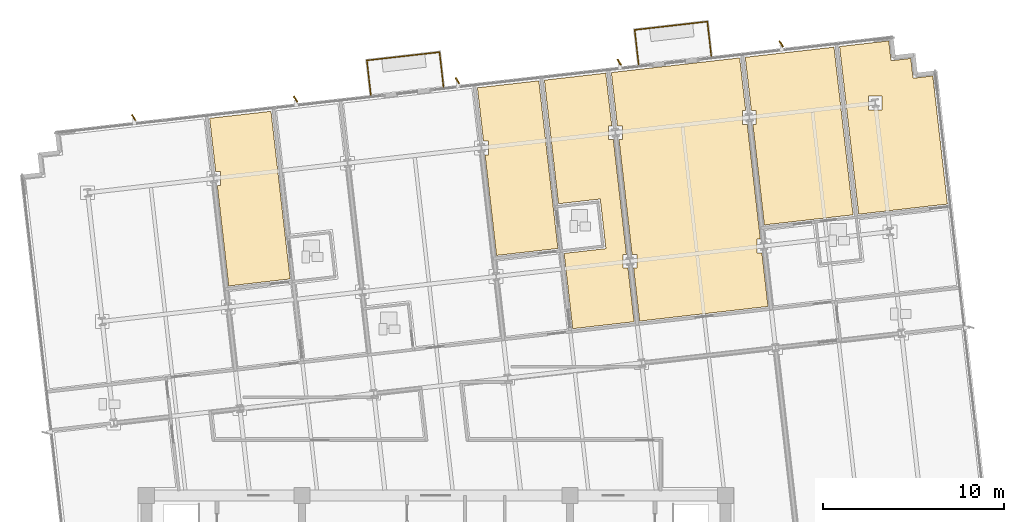
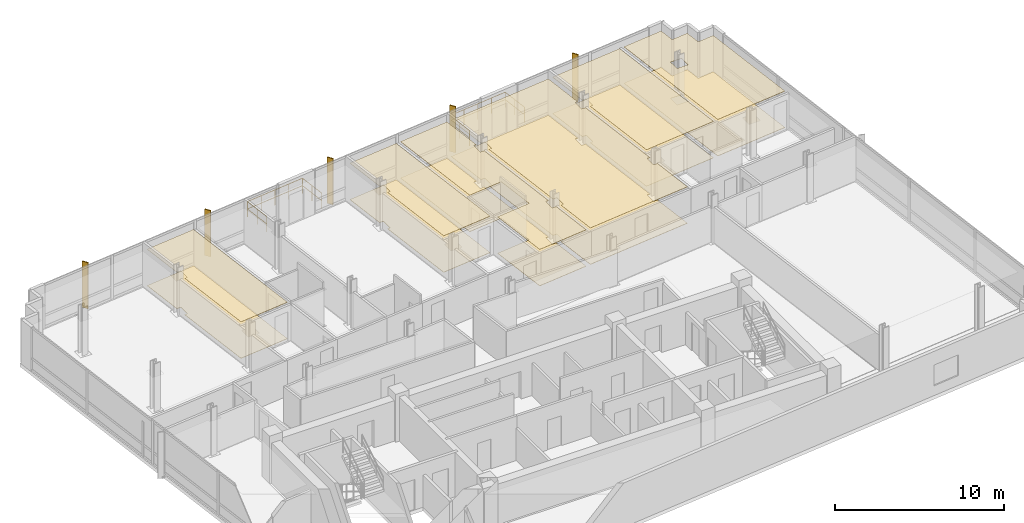
# One storey, part 15 of 16: 12 coverings, 6 railings, 5 shading devices.
"""IFC4 building model written with IfcOpenShell, lengths in metres."""

from ifc_helpers import new_model, si_unit, direction, frame, origin, origin_2d, place, context, subcontext, project, spatial, polyline, rectangle, circle, outline, extrude, material, layer, layer_set, type_object, element, save


model = new_model("IFC4")

# Units and contexts
model_context = context("Model", 3, precision=1e-05, world=origin(), true_north=direction((0.0, 1.0)))
body_context = subcontext(model_context, "Body", "Model", "MODEL_VIEW")
ifc_project = project(units=[si_unit("LENGTHUNIT", "METRE"), si_unit("AREAUNIT", "SQUARE_METRE"), si_unit("VOLUMEUNIT", "CUBIC_METRE"), si_unit("PLANEANGLEUNIT", "RADIAN"), si_unit("MASSUNIT", "GRAM", prefix="KILO")], contexts=[model_context])

# Site, building, storey
site_placement = place(None, origin())
site = spatial("IfcSite", under=ifc_project, at=site_placement, CompositionType="ELEMENT")
building_placement = place(site_placement, origin())
building = spatial("IfcBuilding", under=site, at=building_placement, Name="Solmavex Isthmus Hotel", CompositionType="ELEMENT")
storey_placement = place(building_placement, frame((0.0, 0.0, 208.949951171875)))
storey = spatial("IfcBuildingStorey", under=building, at=storey_placement, Name="L56", CompositionType="ELEMENT", Elevation=208.949951171875)

# Coverings
ifc_material_1 = material(Name="Gypsum plasterboard lining", Category="gypsum")
ifc_layer_1 = layer(ifc_material_1, 0.030029296875)
ifc_layer_set_1 = layer_set([ifc_layer_1], Name="Gypsum plasterboard lining")
covering_type_1 = type_object("IfcCoveringType", Name="COV-CEIL-GYP", PredefinedType="CEILING", material=ifc_layer_set_1)
covering_1_placement = place(storey_placement, frame((0.0, 0.0, 2.6201171875)))
element("IfcCovering", 1, at=covering_1_placement, inside=storey, type_object=covering_type_1, Name="Suspended Acoustic Ceiling L56-SL02-BD", PredefinedType="CEILING", context=body_context, shape_type="SweptSolid", body=[
    extrude(outline(polyline([(-12.17041015625, 15.3984375), (-11.903076171875, 15.3984375), (-11.903076171875, 14.638427734375), (-12.083740234375, 14.638427734375), (-11.763916015625, 11.832275390625), (-11.4501953125, 9.077392578125), (-8.05908203125, 9.4638671875), (-9.1142578125, 18.725830078125), (-12.50537109375, 18.339599609375), (-12.17041015625, 15.3984375)])), origin(), (0.0, 0.0, 1.0), 0.030029296875),
])
covering_2_placement = place(storey_placement, frame((0.0, 0.0, 2.6201171875)))
element("IfcCovering", 2, at=covering_2_placement, inside=storey, type_object=covering_type_1, Name="Suspended Acoustic Ceiling L56-SL04-BD", PredefinedType="CEILING", context=body_context, shape_type="SweptSolid", body=[
    extrude(outline(polyline([(2.6259765625, 17.084228515625), (2.893310546875, 17.084228515625), (2.893310546875, 16.32421875), (2.712646484375, 16.32421875), (3.34619140625, 10.763427734375), (6.7373046875, 11.149658203125), (5.681884765625, 20.411865234375), (2.290771484375, 20.025390625), (2.6259765625, 17.084228515625)])), origin(), (0.0, 0.0, 1.0), 0.030029296875),
])
covering_3_placement = place(storey_placement, frame((0.0, 0.0, 2.6201171875)))
element("IfcCovering", 3, at=covering_3_placement, inside=storey, type_object=covering_type_1, Name="Suspended Acoustic Ceiling L56-SV04", PredefinedType="CEILING", context=body_context, shape_type="SweptSolid", body=[
    extrude(outline(polyline([(9.798583984375, 17.167236328125), (9.531494140625, 17.167236328125), (9.531494140625, 17.92724609375), (9.712158203125, 17.92724609375), (9.381103515625, 20.833251953125), (5.989990234375, 20.44677734375), (6.767822265625, 13.619140625), (9.075927734375, 13.882080078125), (9.388427734375, 11.1396484375), (7.080322265625, 10.876708984375), (7.554443359375, 6.715576171875), (10.945556640625, 7.10205078125), (10.6083984375, 10.06103515625), (10.341064453125, 10.06103515625), (10.341064453125, 10.821044921875), (10.521728515625, 10.821044921875), (9.798583984375, 17.167236328125)])), origin(), (0.0, 0.0, 1.0), 0.030029296875),
])
covering_4_placement = place(storey_placement, frame((0.0, 0.0, 2.6201171875)))
element("IfcCovering", 4, at=covering_4_placement, inside=storey, type_object=covering_type_1, Name="Suspended Acoustic Ceiling L56-RM05", PredefinedType="CEILING", context=body_context, shape_type="SweptSolid", body=[
    extrude(outline(polyline([(10.833740234375, 10.821044921875), (11.10107421875, 10.821044921875), (11.10107421875, 10.06103515625), (10.92041015625, 10.06103515625), (11.25341796875, 7.13720703125), (18.343505859375, 7.945068359375), (18.006591796875, 10.904052734375), (17.7392578125, 10.904052734375), (17.7392578125, 11.6640625), (17.919921875, 11.6640625), (17.19677734375, 18.010009765625), (16.929443359375, 18.010009765625), (16.929443359375, 18.77001953125), (17.1103515625, 18.77001953125), (16.779052734375, 21.676025390625), (9.68896484375, 20.868408203125), (10.024169921875, 17.92724609375), (10.29150390625, 17.92724609375), (10.29150390625, 17.167236328125), (10.110595703125, 17.167236328125), (10.833740234375, 10.821044921875)])), origin(), (0.0, 0.0, 1.0), 0.030029296875),
])
covering_5_placement = place(storey_placement, frame((0.0, 0.0, 2.6201171875)))
element("IfcCovering", 5, at=covering_5_placement, inside=storey, type_object=covering_type_1, Name="Suspended Acoustic Ceiling L56-TB06", PredefinedType="CEILING", context=body_context, shape_type="SweptSolid", body=[
    extrude(outline(polyline([(17.42236328125, 18.77001953125), (17.689453125, 18.77001953125), (17.689453125, 18.010009765625), (17.5087890625, 18.010009765625), (18.142333984375, 12.44921875), (23.044677734375, 13.007568359375), (21.989501953125, 22.269775390625), (17.087158203125, 21.711181640625), (17.42236328125, 18.77001953125)])), origin(), (0.0, 0.0, 1.0), 0.030029296875),
])
covering_6_placement = place(storey_placement, frame((0.0, 0.0, 2.6201171875)))
element("IfcCovering", 6, at=covering_6_placement, inside=storey, type_object=covering_type_1, Name="Suspended Acoustic Ceiling L56-TL06", PredefinedType="CEILING", context=body_context, shape_type="SweptSolid", body=[
    extrude(outline(polyline([(25.013916015625, 22.6142578125), (24.194091796875, 22.52099609375), (22.29736328125, 22.304931640625), (23.352783203125, 13.042724609375), (28.2548828125, 13.601318359375), (27.542236328125, 19.85791015625), (27.44873046875, 20.677490234375), (26.35595703125, 20.552978515625), (26.231201171875, 21.64599609375), (25.138427734375, 21.521484375), (25.013916015625, 22.6142578125)]), holes=[polyline([(23.892578125, 19.5634765625), (24.652587890625, 19.5634765625), (24.652587890625, 18.803466796875), (23.892578125, 18.803466796875), (23.892578125, 19.5634765625)])]), origin(), (0.0, 0.0, 1.0), 0.030029296875),
])
ifc_material_2 = material(Name="Travertine natural stone", Category="masonry")
ifc_layer_2 = layer(ifc_material_2, 0.02490234375)
ifc_layer_set_2 = layer_set([ifc_layer_2], Name="Travertine natural stone")
covering_type_2 = type_object("IfcCoveringType", Name="COV-FLOR-STN", PredefinedType="FLOORING", material=ifc_layer_set_2)
covering_7_placement = place(storey_placement, origin())
element("IfcCovering", 7, at=covering_7_placement, inside=storey, type_object=covering_type_2, Name="Stone and Timber Floor Finish L56-SL02-BD", PredefinedType="FLOORING", context=body_context, shape_type="SweptSolid", body=[
    extrude(outline(polyline([(-12.17041015625, 15.3984375), (-11.903076171875, 15.3984375), (-11.903076171875, 14.638427734375), (-12.083740234375, 14.638427734375), (-11.763916015625, 11.832275390625), (-11.4501953125, 9.077392578125), (-8.05908203125, 9.4638671875), (-9.1142578125, 18.725830078125), (-12.50537109375, 18.339599609375), (-12.17041015625, 15.3984375)])), origin(), (0.0, 0.0, 1.0), 0.025146484375),
])
covering_8_placement = place(storey_placement, origin())
element("IfcCovering", 8, at=covering_8_placement, inside=storey, type_object=covering_type_2, Name="Stone and Timber Floor Finish L56-SL04-BD", PredefinedType="FLOORING", context=body_context, shape_type="SweptSolid", body=[
    extrude(outline(polyline([(2.6259765625, 17.084228515625), (2.893310546875, 17.084228515625), (2.893310546875, 16.32421875), (2.712646484375, 16.32421875), (3.34619140625, 10.763427734375), (6.7373046875, 11.149658203125), (5.681884765625, 20.411865234375), (2.290771484375, 20.025390625), (2.6259765625, 17.084228515625)])), origin(), (0.0, 0.0, 1.0), 0.025146484375),
])
covering_9_placement = place(storey_placement, origin())
element("IfcCovering", 9, at=covering_9_placement, inside=storey, type_object=covering_type_2, Name="Stone and Timber Floor Finish L56-SV04", PredefinedType="FLOORING", context=body_context, shape_type="SweptSolid", body=[
    extrude(outline(polyline([(9.798583984375, 17.167236328125), (9.531494140625, 17.167236328125), (9.531494140625, 17.92724609375), (9.712158203125, 17.92724609375), (9.381103515625, 20.833251953125), (5.989990234375, 20.44677734375), (6.767822265625, 13.619140625), (9.075927734375, 13.882080078125), (9.388427734375, 11.1396484375), (7.080322265625, 10.876708984375), (7.554443359375, 6.715576171875), (10.945556640625, 7.10205078125), (10.6083984375, 10.06103515625), (10.341064453125, 10.06103515625), (10.341064453125, 10.821044921875), (10.521728515625, 10.821044921875), (9.798583984375, 17.167236328125)])), origin(), (0.0, 0.0, 1.0), 0.025146484375),
])
covering_10_placement = place(storey_placement, origin())
element("IfcCovering", 10, at=covering_10_placement, inside=storey, type_object=covering_type_2, Name="Stone and Timber Floor Finish L56-RM05", PredefinedType="FLOORING", context=body_context, shape_type="SweptSolid", body=[
    extrude(outline(polyline([(10.833740234375, 10.821044921875), (11.10107421875, 10.821044921875), (11.10107421875, 10.06103515625), (10.92041015625, 10.06103515625), (11.25341796875, 7.13720703125), (18.343505859375, 7.945068359375), (18.006591796875, 10.904052734375), (17.7392578125, 10.904052734375), (17.7392578125, 11.6640625), (17.919921875, 11.6640625), (17.19677734375, 18.010009765625), (16.929443359375, 18.010009765625), (16.929443359375, 18.77001953125), (17.1103515625, 18.77001953125), (16.779052734375, 21.676025390625), (9.68896484375, 20.868408203125), (10.024169921875, 17.92724609375), (10.29150390625, 17.92724609375), (10.29150390625, 17.167236328125), (10.110595703125, 17.167236328125), (10.833740234375, 10.821044921875)])), origin(), (0.0, 0.0, 1.0), 0.025146484375),
])
covering_11_placement = place(storey_placement, origin())
element("IfcCovering", 11, at=covering_11_placement, inside=storey, type_object=covering_type_2, Name="Stone and Timber Floor Finish L56-TB06", PredefinedType="FLOORING", context=body_context, shape_type="SweptSolid", body=[
    extrude(outline(polyline([(17.42236328125, 18.77001953125), (17.689453125, 18.77001953125), (17.689453125, 18.010009765625), (17.5087890625, 18.010009765625), (18.142333984375, 12.44921875), (23.044677734375, 13.007568359375), (21.989501953125, 22.269775390625), (17.087158203125, 21.711181640625), (17.42236328125, 18.77001953125)])), origin(), (0.0, 0.0, 1.0), 0.025146484375),
])
covering_12_placement = place(storey_placement, origin())
element("IfcCovering", 12, at=covering_12_placement, inside=storey, type_object=covering_type_2, Name="Stone and Timber Floor Finish L56-TL06", PredefinedType="FLOORING", context=body_context, shape_type="SweptSolid", body=[
    extrude(outline(polyline([(25.013916015625, 22.6142578125), (24.194091796875, 22.52099609375), (22.29736328125, 22.304931640625), (23.352783203125, 13.042724609375), (28.2548828125, 13.601318359375), (27.542236328125, 19.85791015625), (27.44873046875, 20.677490234375), (26.35595703125, 20.552978515625), (26.231201171875, 21.64599609375), (25.138427734375, 21.521484375), (25.013916015625, 22.6142578125)]), holes=[polyline([(23.892578125, 19.5634765625), (24.652587890625, 19.5634765625), (24.652587890625, 18.803466796875), (23.892578125, 18.803466796875), (23.892578125, 19.5634765625)])]), origin(), (0.0, 0.0, 1.0), 0.025146484375),
])

# Railings
ifc_material_3 = material(Name="Clear low-E laminated glass", Category="glass")
ifc_layer_3 = layer(ifc_material_3, 0.070068359375)
ifc_layer_set_3 = layer_set([ifc_layer_3], Name="Clear low-E laminated glass")
railing_type = type_object("IfcRailingType", Name="RAIL-GUARD-1100", PredefinedType="BALUSTRADE", material=ifc_layer_set_3)
railing_1_placement = place(storey_placement, frame((-3.600341796875, 19.630859375, 0.0)))
element("IfcRailing", 13, at=railing_1_placement, inside=storey, type_object=railing_type, Name="Guardrail Balustrade L56-BAL1-01", PredefinedType="BALUSTRADE", context=body_context, shape_type="SweptSolid", body=[
    extrude(circle(Radius=0.02392578125, at=origin_2d()), frame((0.0, 0.0, 1.09619140625), z_axis=(-0.113166454875, 0.993576043135, 0.0), x_axis=(-0.993576043135, -0.113166454875, 0.0)), (0.0, 0.0, 1.0), 1.920166015625),
    extrude(circle(Radius=0.02392578125, at=origin_2d()), frame((0.0, 0.0, 0.56005859375), z_axis=(-0.113166454875, 0.993576043135, 0.0), x_axis=(-0.993576043135, -0.113166454875, 0.0)), (0.0, 0.0, 1.0), 1.920166015625),
    extrude(circle(Radius=0.02099609375, at=origin_2d()), origin(), (0.0, 0.0, 1.0), 1.072021484375),
    extrude(circle(Radius=0.02099609375, at=origin_2d()), frame((-0.108642578125, 0.953857421875, 0.0)), (0.0, 0.0, 1.0), 1.072021484375),
    extrude(circle(Radius=0.02099609375, at=origin_2d()), frame((-0.21728515625, 1.90771484375, 0.0)), (0.0, 0.0, 1.0), 1.072021484375),
])
railing_2_placement = place(storey_placement, frame((-3.817626953125, 21.53857421875, 0.0)))
element("IfcRailing", 14, at=railing_2_placement, inside=storey, type_object=railing_type, Name="Guardrail Balustrade L56-BAL1-02", PredefinedType="BALUSTRADE", context=body_context, shape_type="SweptSolid", body=[
    extrude(circle(Radius=0.02392578125, at=origin_2d()), frame((0.0, 0.0, 1.09619140625), z_axis=(0.993573319275, 0.113190367192, 0.0), x_axis=(-0.113190367192, 0.993573319275, 0.0)), (0.0, 0.0, 1.0), 4.039794921875),
    extrude(circle(Radius=0.02392578125, at=origin_2d()), frame((0.0, 0.0, 0.56005859375), z_axis=(0.993573319275, 0.113190367192, 0.0), x_axis=(-0.113190367192, 0.993573319275, 0.0)), (0.0, 0.0, 1.0), 4.039794921875),
    extrude(circle(Radius=0.02099609375, at=origin_2d()), origin(), (0.0, 0.0, 1.0), 1.072021484375),
    extrude(circle(Radius=0.02099609375, at=origin_2d()), frame((1.00341796875, 0.1142578125, 0.0)), (0.0, 0.0, 1.0), 1.072021484375),
    extrude(circle(Radius=0.02099609375, at=origin_2d()), frame((2.0068359375, 0.228515625, 0.0)), (0.0, 0.0, 1.0), 1.072021484375),
    extrude(circle(Radius=0.02099609375, at=origin_2d()), frame((3.010498046875, 0.343017578125, 0.0)), (0.0, 0.0, 1.0), 1.072021484375),
    extrude(circle(Radius=0.02099609375, at=origin_2d()), frame((4.013916015625, 0.457275390625, 0.0)), (0.0, 0.0, 1.0), 1.072021484375),
])
railing_3_placement = place(storey_placement, frame((0.1962890625, 21.995849609375, 0.0)))
element("IfcRailing", 15, at=railing_3_placement, inside=storey, type_object=railing_type, Name="Guardrail Balustrade L56-BAL1-03", PredefinedType="BALUSTRADE", context=body_context, shape_type="SweptSolid", body=[
    extrude(circle(Radius=0.02392578125, at=origin_2d()), frame((0.0, 0.0, 1.09619140625), z_axis=(0.113180753722, -0.993574414418, 0.0), x_axis=(0.993574414418, 0.113180753722, 0.0)), (0.0, 0.0, 1.0), 1.919921875),
    extrude(circle(Radius=0.02392578125, at=origin_2d()), frame((0.0, 0.0, 0.56005859375), z_axis=(0.113180753722, -0.993574414418, 0.0), x_axis=(0.993574414418, 0.113180753722, 0.0)), (0.0, 0.0, 1.0), 1.919921875),
    extrude(circle(Radius=0.02099609375, at=origin_2d()), origin(), (0.0, 0.0, 1.0), 1.072021484375),
    extrude(circle(Radius=0.02099609375, at=origin_2d()), frame((0.108642578125, -0.95361328125, 0.0)), (0.0, 0.0, 1.0), 1.072021484375),
    extrude(circle(Radius=0.02099609375, at=origin_2d()), frame((0.21728515625, -1.907470703125, 0.0)), (0.0, 0.0, 1.0), 1.072021484375),
])
railing_4_placement = place(storey_placement, frame((11.196044921875, 21.31689453125, 0.0)))
element("IfcRailing", 16, at=railing_4_placement, inside=storey, type_object=railing_type, Name="Guardrail Balustrade L56-BAL2-01", PredefinedType="BALUSTRADE", context=body_context, shape_type="SweptSolid", body=[
    extrude(circle(Radius=0.02392578125, at=origin_2d()), frame((0.0, 0.0, 1.09619140625), z_axis=(-0.113306291372, 0.993560106051, 0.0), x_axis=(-0.993560106051, -0.113306291372, 0.0)), (0.0, 0.0, 1.0), 1.919921875),
    extrude(circle(Radius=0.02392578125, at=origin_2d()), frame((0.0, 0.0, 0.56005859375), z_axis=(-0.113306291372, 0.993560106051, 0.0), x_axis=(-0.993560106051, -0.113306291372, 0.0)), (0.0, 0.0, 1.0), 1.919921875),
    extrude(circle(Radius=0.02099609375, at=origin_2d()), origin(), (0.0, 0.0, 1.0), 1.072021484375),
    extrude(circle(Radius=0.02099609375, at=origin_2d()), frame((-0.10888671875, 0.95361328125, 0.0)), (0.0, 0.0, 1.0), 1.072021484375),
    extrude(circle(Radius=0.02099609375, at=origin_2d()), frame((-0.217529296875, 1.907470703125, 0.0)), (0.0, 0.0, 1.0), 1.072021484375),
])
railing_5_placement = place(storey_placement, frame((10.978515625, 23.224365234375, 0.0)))
element("IfcRailing", 17, at=railing_5_placement, inside=storey, type_object=railing_type, Name="Guardrail Balustrade L56-BAL2-02", PredefinedType="BALUSTRADE", context=body_context, shape_type="SweptSolid", body=[
    extrude(circle(Radius=0.02392578125, at=origin_2d()), frame((0.0, 0.0, 1.09619140625), z_axis=(0.993567296105, 0.113243225453, 0.0), x_axis=(-0.113243225453, 0.993567296105, 0.0)), (0.0, 0.0, 1.0), 4.0400390625),
    extrude(circle(Radius=0.02392578125, at=origin_2d()), frame((0.0, 0.0, 0.56005859375), z_axis=(0.993567296105, 0.113243225453, 0.0), x_axis=(-0.113243225453, 0.993567296105, 0.0)), (0.0, 0.0, 1.0), 4.0400390625),
    extrude(circle(Radius=0.02099609375, at=origin_2d()), origin(), (0.0, 0.0, 1.0), 1.072021484375),
    extrude(circle(Radius=0.02099609375, at=origin_2d()), frame((1.00341796875, 0.1142578125, 0.0)), (0.0, 0.0, 1.0), 1.072021484375),
    extrude(circle(Radius=0.02099609375, at=origin_2d()), frame((2.007080078125, 0.228759765625, 0.0)), (0.0, 0.0, 1.0), 1.072021484375),
    extrude(circle(Radius=0.02099609375, at=origin_2d()), frame((3.0107421875, 0.34326171875, 0.0)), (0.0, 0.0, 1.0), 1.072021484375),
    extrude(circle(Radius=0.02099609375, at=origin_2d()), frame((4.01416015625, 0.45751953125, 0.0)), (0.0, 0.0, 1.0), 1.072021484375),
])
railing_6_placement = place(storey_placement, frame((14.99267578125, 23.681884765625, 0.0)))
element("IfcRailing", 18, at=railing_6_placement, inside=storey, type_object=railing_type, Name="Guardrail Balustrade L56-BAL2-03", PredefinedType="BALUSTRADE", context=body_context, shape_type="SweptSolid", body=[
    extrude(circle(Radius=0.02392578125, at=origin_2d()), frame((0.0, 0.0, 1.09619140625), z_axis=(0.113166454875, -0.993576043135, 0.0), x_axis=(0.993576043135, 0.113166454875, 0.0)), (0.0, 0.0, 1.0), 1.920166015625),
    extrude(circle(Radius=0.02392578125, at=origin_2d()), frame((0.0, 0.0, 0.56005859375), z_axis=(0.113166454875, -0.993576043135, 0.0), x_axis=(0.993576043135, 0.113166454875, 0.0)), (0.0, 0.0, 1.0), 1.920166015625),
    extrude(circle(Radius=0.02099609375, at=origin_2d()), origin(), (0.0, 0.0, 1.0), 1.072021484375),
    extrude(circle(Radius=0.02099609375, at=origin_2d()), frame((0.108642578125, -0.953857421875, 0.0)), (0.0, 0.0, 1.0), 1.072021484375),
    extrude(circle(Radius=0.02099609375, at=origin_2d()), frame((0.21728515625, -1.90771484375, 0.0)), (0.0, 0.0, 1.0), 1.072021484375),
])

# Shading devices
ifc_material_4 = material(Name="Aluminium alloy 6063-T6", Category="aluminium")
shading_device_type = type_object("IfcShadingDeviceType", Name="SHD-FIN-CHAMP", PredefinedType="USERDEFINED", material=ifc_material_4)
for number, where, z_axis, x_axis, name in (
    (19, (-16.699951171875, 18.3798828125, -0.139892578125), (0.0, 0.0, 1.0), (-0.537299608347, 0.843391445813, 0.0), "Anodised Aluminium Solar Fin L56-N1"),
    (20, (-7.7578125, 19.39892578125, -0.139892578125), (0.0, 0.0, 1.0), (-0.537299608347, 0.843391445813, 0.0), "Anodised Aluminium Solar Fin L56-N2"),
    (21, (1.184326171875, 20.417724609375, -0.139892578125), (0.0, 0.0, 1.0), (-0.537299608347, 0.843391445813, 0.0), "Anodised Aluminium Solar Fin L56-N3"),
    (22, (10.12646484375, 21.4365234375, -0.139892578125), (0.0, 0.0, 1.0), (-0.537299608347, 0.843391445813, 0.0), "Anodised Aluminium Solar Fin L56-N4"),
    (23, (19.068603515625, 22.455322265625, -0.139892578125), (0.0, 0.0, 1.0), (-0.537299608347, 0.843391445813, 0.0), "Anodised Aluminium Solar Fin L56-N5"),
):
    element("IfcShadingDevice", number, at=place(storey_placement, frame(where, z_axis=z_axis, x_axis=x_axis)), inside=storey, type_object=shading_device_type, Name=name, ObjectType="SOLAR_FIN", PredefinedType="USERDEFINED", context=body_context, shape_type="SweptSolid", body=[
        extrude(rectangle(XDim=0.3798828125, YDim=0.070068359375, at=origin_2d()), origin(), (0.0, 0.0, 1.0), 3.330078125),
    ])

save(model, "model.ifc")
